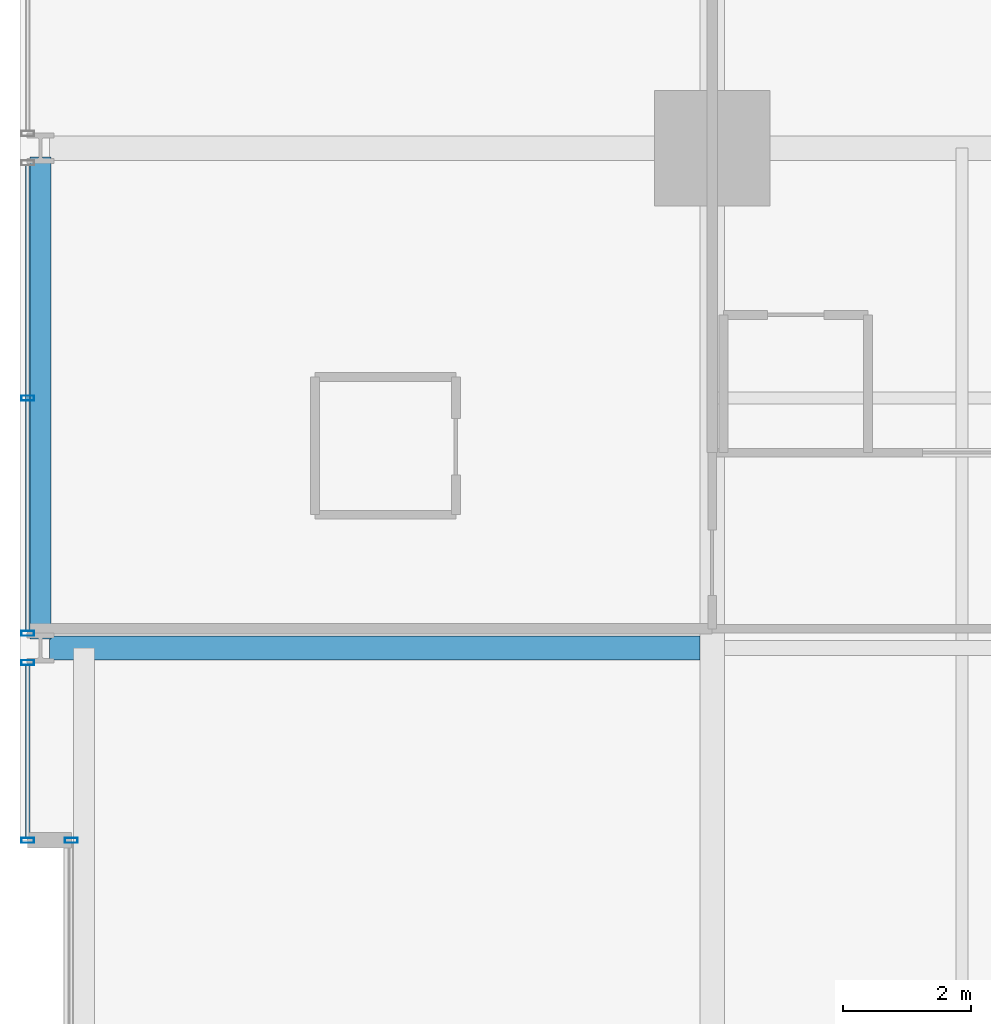
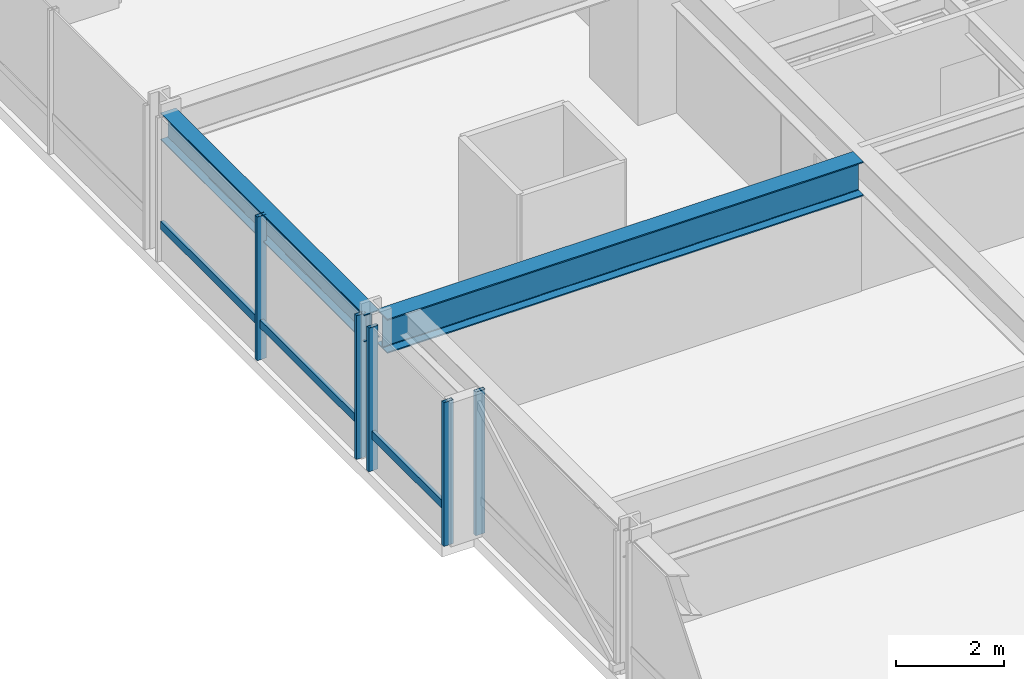
# One storey, part 17 of 38: 7 members, 2 beams, 3 elements without a shape of their own.
"""IFC4 building model written with IfcOpenShell, lengths in metres."""

from ifc_helpers import new_model, si_unit, direction, frame, origin, origin_2d, place, context, subcontext, project, spatial, hollow_rectangle, i_section, extrude, material, layer, layer_set, material_profile, profile_set, type_object, element, aggregate, save


model = new_model("IFC4")

# Units and contexts
model_context = context("Model", 3, precision=1e-05, world=origin(), true_north=direction((0.0, 1.0)))
body_context = subcontext(model_context, "Body", "Model", "MODEL_VIEW")
ifc_project = project(units=[si_unit("LENGTHUNIT", "METRE"), si_unit("AREAUNIT", "SQUARE_METRE"), si_unit("VOLUMEUNIT", "CUBIC_METRE"), si_unit("PLANEANGLEUNIT", "RADIAN"), si_unit("MASSUNIT", "GRAM", prefix="KILO")], contexts=[model_context])

# Site, building, storey
site_placement = place(None, origin())
site = spatial("IfcSite", under=ifc_project, at=site_placement, CompositionType="ELEMENT")
building_placement = place(site_placement, origin())
building = spatial("IfcBuilding", under=site, at=building_placement, Name="Drelvath Grand Hotel", CompositionType="ELEMENT")
storey_placement = place(building_placement, frame((0.0, 0.0, 71.699951171875)))
storey = spatial("IfcBuildingStorey", under=building, at=storey_placement, Name="L17", CompositionType="ELEMENT", Elevation=71.699951171875)

# Curtain wall, member
ifc_material_1 = material(Name="Warm Bronze Anodised Aluminium Frame", Category="aluminium")
ifc_layer = layer(ifc_material_1, 0.199951171875)
ifc_layer_set = layer_set([ifc_layer], Name="Warm Bronze Anodised Aluminium Frame")
curtain_wall_type = type_object("IfcCurtainWallType", Name="Stick Curtain Wall CW-02 Warm Bronze Low-Rise", PredefinedType="NOTDEFINED", material=ifc_layer_set)
curtain_wall_1_placement = place(storey_placement, origin())
curtain_wall_1 = element("IfcCurtainWall", 1, at=curtain_wall_1_placement, inside=storey, type_object=curtain_wall_type, Name="L17 CW-02 Curtain Wall CW02-L17-WN1", PredefinedType="NOTDEFINED")
ifc_material_profile_1 = material_profile(ifc_material_1, hollow_rectangle(XDim=0.074951171875, YDim=0.179931640625, WallThickness=0.0048828125, at=origin_2d()), Name="HSS180X75X5")
ifc_profile_set_1 = profile_set([ifc_material_profile_1], Name="Warm Bronze Anodised Aluminium Frame")
member_type_1 = type_object("IfcMemberType", Name="Curtain Wall Horizontal Transom CW-02 HSS180X75X5", PredefinedType="USERDEFINED", material=ifc_profile_set_1)
member_1_placement = place(storey_placement, frame((-26.8798828125, 32.43994140625, 0.81005859375), z_axis=(0.0, 1.0, 0.0), x_axis=(-1.0, 0.0, 0.0)))
member_1 = element("IfcMember", 2, at=member_1_placement, type_object=member_type_1, Name="CW02-L17-WN1 Sill Transom", ObjectType="TRANSOM", PredefinedType="USERDEFINED", context=body_context, shape_type="SweptSolid", body=[
    extrude(hollow_rectangle(XDim=0.074951171875, YDim=0.179931640625, WallThickness=0.0048828125, at=origin_2d()), origin(), (0.0, 0.0, 1.0), 2.69091796875),
])

curtain_wall_2_placement = place(storey_placement, origin())
curtain_wall_2 = element("IfcCurtainWall", 3, at=curtain_wall_2_placement, inside=storey, type_object=curtain_wall_type, Name="L17 CW-02 Curtain Wall CW02-L17-WN2", PredefinedType="NOTDEFINED")
member_2_placement = place(storey_placement, frame((-26.8798828125, 35.669189453125, 0.81005859375), z_axis=(0.0, 1.0, 0.0), x_axis=(-1.0, 0.0, 0.0)))
member_2 = element("IfcMember", 4, at=member_2_placement, type_object=member_type_1, Name="CW02-L17-WN2 Sill Transom", ObjectType="TRANSOM", PredefinedType="USERDEFINED", context=body_context, shape_type="SweptSolid", body=[
    extrude(hollow_rectangle(XDim=0.074951171875, YDim=0.179931640625, WallThickness=0.0048828125, at=origin_2d()), origin(), (0.0, 0.0, 1.0), 7.26171875),
])

curtain_wall_3_placement = place(storey_placement, origin())
curtain_wall_3 = element("IfcCurtainWall", 5, at=curtain_wall_3_placement, inside=storey, type_object=curtain_wall_type, Name="L17 CW-02 Curtain Wall CW02-L17-WM2", PredefinedType="NOTDEFINED")
ifc_material_profile_2 = material_profile(ifc_material_1, hollow_rectangle(XDim=0.080078125, YDim=0.199951171875, WallThickness=0.0048828125, at=origin_2d()), Name="HSS200X80X5")
ifc_profile_set_2 = profile_set([ifc_material_profile_2], Name="Warm Bronze Anodised Aluminium Frame")
member_type_2 = type_object("IfcMemberType", Name="Curtain Wall Vertical Mullion CW-02 HSS200X80X5", PredefinedType="MULLION", material=ifc_profile_set_2)
member_3_placement = place(storey_placement, frame((-26.199951171875, 32.39990234375, 0.0), z_axis=(0.0, 0.0, 1.0), x_axis=(0.0, 1.0, 0.0)))
member_3 = element("IfcMember", 6, at=member_3_placement, type_object=member_type_2, Name="CW02-L17-WM2 Mullion 2", PredefinedType="MULLION", context=body_context, shape_type="SweptSolid", body=[
    extrude(hollow_rectangle(XDim=0.080078125, YDim=0.199951171875, WallThickness=0.0048828125, at=origin_2d()), origin(), (0.0, 0.0, 1.0), 3.239990234375),
])
aggregate(curtain_wall_3, [member_3])

# Member
member_4_placement = place(storey_placement, frame((-26.8798828125, 32.39990234375, 0.0), z_axis=(0.0, 0.0, 1.0), x_axis=(0.0, 1.0, 0.0)))
member_4 = element("IfcMember", 7, at=member_4_placement, type_object=member_type_2, Name="CW02-L17-WN1 Mullion 1", PredefinedType="MULLION", context=body_context, shape_type="SweptSolid", body=[
    extrude(hollow_rectangle(XDim=0.080078125, YDim=0.199951171875, WallThickness=0.0048828125, at=origin_2d()), origin(), (0.0, 0.0, 1.0), 3.239990234375),
])

member_5_placement = place(storey_placement, frame((-26.8798828125, 35.1708984375, 0.0), z_axis=(0.0, 0.0, 1.0), x_axis=(0.0, 1.0, 0.0)))
member_5 = element("IfcMember", 8, at=member_5_placement, type_object=member_type_2, Name="CW02-L17-WN1 Mullion 2", PredefinedType="MULLION", context=body_context, shape_type="SweptSolid", body=[
    extrude(hollow_rectangle(XDim=0.080078125, YDim=0.199951171875, WallThickness=0.0048828125, at=origin_2d()), origin(), (0.0, 0.0, 1.0), 3.239990234375),
])

aggregate(curtain_wall_1, [member_4, member_5, member_1])

member_6_placement = place(storey_placement, frame((-26.8798828125, 35.629150390625, 0.0), z_axis=(0.0, 0.0, 1.0), x_axis=(0.0, 1.0, 0.0)))
member_6 = element("IfcMember", 9, at=member_6_placement, type_object=member_type_2, Name="CW02-L17-WN2 Mullion 1", PredefinedType="MULLION", context=body_context, shape_type="SweptSolid", body=[
    extrude(hollow_rectangle(XDim=0.080078125, YDim=0.199951171875, WallThickness=0.0048828125, at=origin_2d()), origin(), (0.0, 0.0, 1.0), 3.239990234375),
])

member_7_placement = place(storey_placement, frame((-26.8798828125, 39.300048828125, 0.0), z_axis=(0.0, 0.0, 1.0), x_axis=(0.0, 1.0, 0.0)))
member_7 = element("IfcMember", 10, at=member_7_placement, type_object=member_type_2, Name="CW02-L17-WN2 Mullion 2", PredefinedType="MULLION", context=body_context, shape_type="SweptSolid", body=[
    extrude(hollow_rectangle(XDim=0.080078125, YDim=0.199951171875, WallThickness=0.0048828125, at=origin_2d()), origin(), (0.0, 0.0, 1.0), 3.239990234375),
])

aggregate(curtain_wall_2, [member_6, member_7, member_2])

# Beams
ifc_material_2 = material(Name="Steel ASTM A992 Gr 50", Category="steel")
ifc_material_profile_3 = material_profile(ifc_material_2, i_section(OverallWidth=0.323974609375, OverallDepth=0.611083984375, WebThickness=0.0126953125, FlangeThickness=0.01904296875, FilletRadius=0.02197265625, at=origin_2d()), Name="W24X104")
ifc_profile_set_3 = profile_set([ifc_material_profile_3], Name="Steel ASTM A992 Gr 50")
beam_type_1 = type_object("IfcBeamType", Name="Perimeter Spandrel Beam W24X104", PredefinedType="SPANDREL", material=ifc_profile_set_3)
beam_1_placement = place(storey_placement, frame((-26.679931640625, 35.5400390625, 2.9345703125), z_axis=(0.0, 1.0, 0.0), x_axis=(-1.0, 0.0, 0.0)))
element("IfcBeam", 11, at=beam_1_placement, inside=storey, type_object=beam_type_1, Name="L17 Spandrel West N", PredefinedType="SPANDREL", context=body_context, shape_type="SweptSolid", body=[
    extrude(i_section(OverallWidth=0.323974609375, OverallDepth=0.611083984375, WebThickness=0.0126953125, FlangeThickness=0.01904296875, FilletRadius=0.02197265625, at=origin_2d()), origin(), (0.0, 0.0, 1.0), 7.52001953125),
])
ifc_material_profile_4 = material_profile(ifc_material_2, i_section(OverallWidth=0.380615234375, OverallDepth=0.773193359375, WebThickness=0.0166015625, FlangeThickness=0.027099609375, FilletRadius=0.02490234375, at=origin_2d()), Name="W30X173")
ifc_profile_set_4 = profile_set([ifc_material_profile_4], Name="Steel ASTM A992 Gr 50")
beam_type_2 = type_object("IfcBeamType", Name="Primary Floor Girder W30X173", PredefinedType="BEAM", material=ifc_profile_set_4)
beam_2_placement = place(storey_placement, frame((-26.5400390625, 35.39990234375, 2.853515625), z_axis=(1.0, 0.0, 0.0), x_axis=(0.0, 1.0, 0.0)))
element("IfcBeam", 12, at=beam_2_placement, inside=storey, type_object=beam_type_2, Name="L17 West Wing Girder F", PredefinedType="BEAM", context=body_context, shape_type="SweptSolid", body=[
    extrude(i_section(OverallWidth=0.380615234375, OverallDepth=0.773193359375, WebThickness=0.0166015625, FlangeThickness=0.027099609375, FilletRadius=0.02490234375, at=origin_2d()), origin(), (0.0, 0.0, 1.0), 10.149658203125),
])

save(model, "model.ifc")
